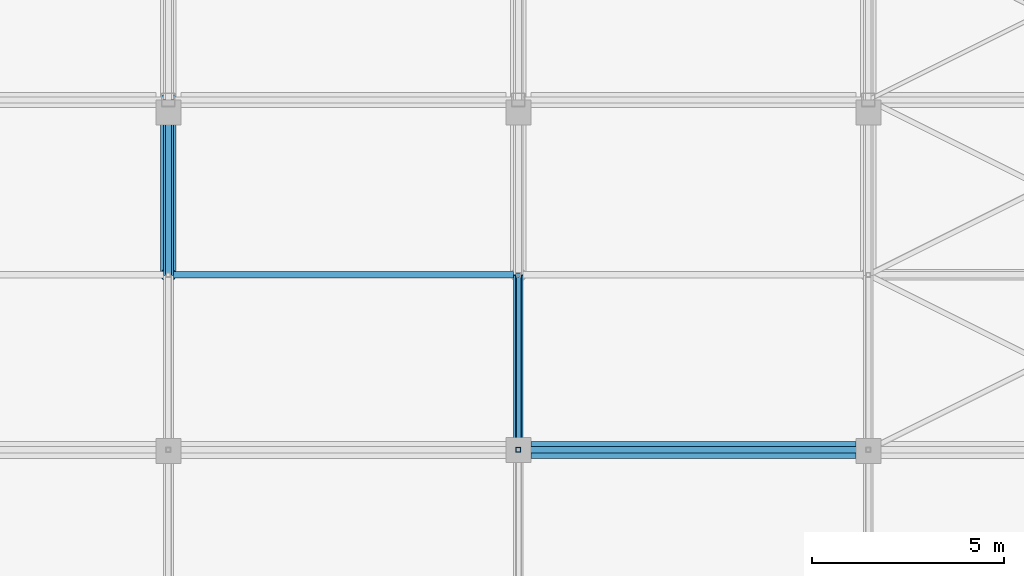
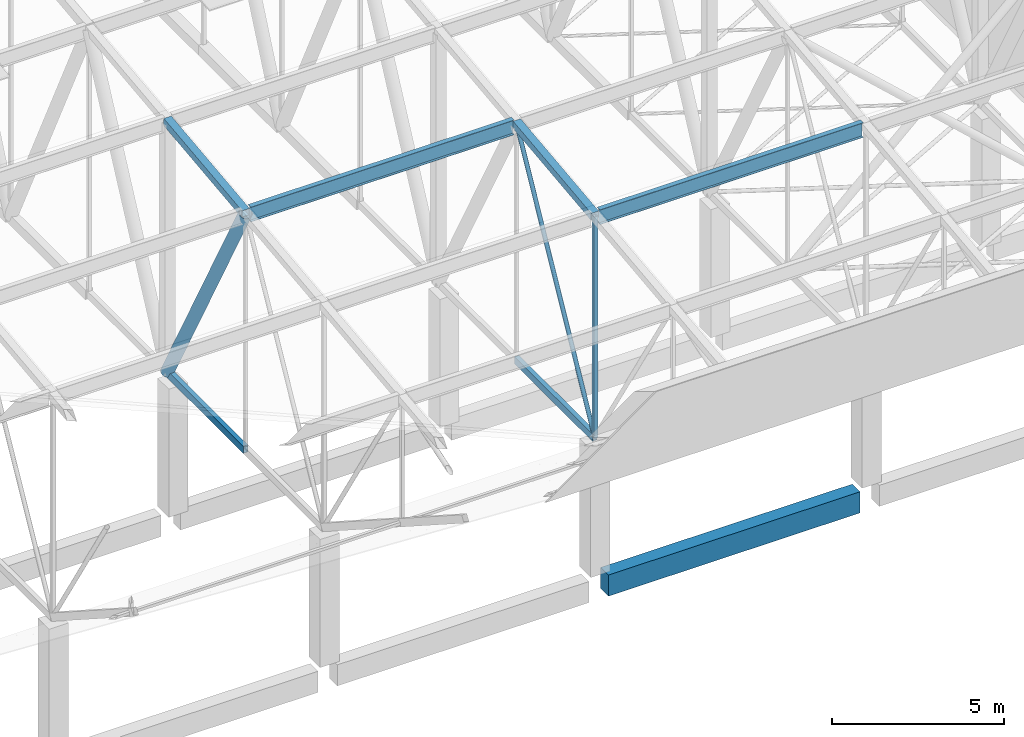
# One storey, part 100 of 500: 9 members, 1 beam.
"""IFC4 building model written with IfcOpenShell, lengths in metres."""

from ifc_helpers import new_model, si_unit, direction, frame, origin, origin_2d, place, context, subcontext, project, spatial, rectangle, hollow_rectangle, hollow_circle, i_section, extrude, material, material_profile, profile_set, type_object, element, save


model = new_model("IFC4")

# Units and contexts
model_context = context("Model", 3, precision=1e-05, world=origin(), true_north=direction((0.0, 1.0)))
body_context = subcontext(model_context, "Body", "Model", "MODEL_VIEW")
ifc_project = project(units=[si_unit("LENGTHUNIT", "METRE"), si_unit("AREAUNIT", "SQUARE_METRE"), si_unit("VOLUMEUNIT", "CUBIC_METRE"), si_unit("PLANEANGLEUNIT", "RADIAN"), si_unit("MASSUNIT", "GRAM", prefix="KILO")], contexts=[model_context])

# Site, building, storey
site_placement = place(None, origin())
site = spatial("IfcSite", under=ifc_project, at=site_placement, CompositionType="ELEMENT")
building_placement = place(site_placement, origin())
building = spatial("IfcBuilding", under=site, at=building_placement, Name="Shirokan Park Arena", CompositionType="ELEMENT")
storey_placement = place(building_placement, frame((0.0, 0.0, 29.1201171875)))
storey = spatial("IfcBuildingStorey", under=building, at=storey_placement, Name="L06", CompositionType="ELEMENT", Elevation=29.1201171875)

# Members
ifc_material_1 = material(Name="Steel ASTM A500 Grade C", Category="steel")
ifc_material_profile_1 = material_profile(ifc_material_1, hollow_rectangle(XDim=0.152099609375, YDim=0.25390625, WallThickness=0.009521484375, at=origin_2d()), Name="HSS254X152.4X9.5")
ifc_profile_set_1 = profile_set([ifc_material_profile_1], Name="Steel ASTM A500 Grade C")
member_type_1 = type_object("IfcMemberType", Name="Bottom chord HSS254X152.4X9.5", PredefinedType="CHORD", material=ifc_profile_set_1)
for number, where, z_axis, x_axis, name in (
    (1, (72.800048828125, 4.550048828125, 4.677001953125), (0.0, 1.0, 0.0), (-1.0, 0.0, 0.0), "Truss T09 bottom chord 4"),
    (2, (81.89990234375, 0.0, 4.677001953125), (0.0, 1.0, 0.0), (-1.0, 0.0, 0.0), "Truss T10 bottom chord 3"),
):
    element("IfcMember", number, at=place(storey_placement, frame(where, z_axis=z_axis, x_axis=x_axis)), inside=storey, type_object=member_type_1, Name=name, PredefinedType="CHORD", context=body_context, shape_type="SweptSolid", body=[
        extrude(hollow_rectangle(XDim=0.152099609375, YDim=0.25390625, WallThickness=0.009521484375, at=origin_2d()), origin(), (0.0, 0.0, 1.0), 4.550048828125),
    ])
ifc_material_2 = material(Name="Steel ASTM A992", Category="steel")
ifc_material_profile_2 = material_profile(ifc_material_2, i_section(OverallWidth=0.166015625, OverallDepth=0.528076171875, WebThickness=0.009765625, FlangeThickness=0.013671875, at=origin_2d()), Name="W530X74")
ifc_profile_set_2 = profile_set([ifc_material_profile_2], Name="Steel ASTM A992")
member_type_2 = type_object("IfcMemberType", Name="Purlin W530X74", PredefinedType="PURLIN", material=ifc_profile_set_2)
for number, where, z_axis, x_axis, name in (
    (3, (82.027099609375, 0.0, 12.48583984375), (1.0, 0.0, 0.0), (0.0, 1.0, 0.0), "Purlin 3 bay 10"),
    (4, (72.927001953125, 4.550048828125, 13.005859375), (1.0, 0.0, 0.0), (0.0, 1.0, 0.0), "Purlin 4 bay 9"),
):
    element("IfcMember", number, at=place(storey_placement, frame(where, z_axis=z_axis, x_axis=x_axis)), inside=storey, type_object=member_type_2, Name=name, PredefinedType="PURLIN", context=body_context, shape_type="SweptSolid", body=[
        extrude(i_section(OverallWidth=0.166015625, OverallDepth=0.528076171875, WebThickness=0.009765625, FlangeThickness=0.013671875, at=origin_2d()), origin(), (0.0, 0.0, 1.0), 8.845947265625),
    ])

# Beam
ifc_material_3 = material(Name="Concrete C35", Category="concrete")
ifc_material_profile_3 = material_profile(ifc_material_3, rectangle(XDim=0.449951171875, YDim=0.75, at=origin_2d()), Name="450x750")
ifc_profile_set_3 = profile_set([ifc_material_profile_3], Name="Concrete C35")
beam_type = type_object("IfcBeamType", Name="RC girder 450x750", PredefinedType="BEAM", material=ifc_profile_set_3)
beam_placement = place(storey_placement, frame((82.22509765625, 0.0, -0.5751953125), z_axis=(1.0, 0.0, 0.0), x_axis=(0.0, 1.0, 0.0)))
element("IfcBeam", 5, at=beam_placement, inside=storey, type_object=beam_type, Name="Girder 10A-11A L06", PredefinedType="BEAM", context=body_context, shape_type="SweptSolid", body=[
    extrude(rectangle(XDim=0.449951171875, YDim=0.75, at=origin_2d()), origin(), (0.0, 0.0, 1.0), 8.44970703125),
])

# Members
ifc_material_profile_4 = material_profile(ifc_material_1, hollow_rectangle(XDim=0.25390625, YDim=0.25390625, WallThickness=0.009521484375, at=origin_2d()), Name="HSS254X254X9.5")
ifc_profile_set_4 = profile_set([ifc_material_profile_4], Name="Steel ASTM A500 Grade C")
member_type_3 = type_object("IfcMemberType", Name="Top chord HSS254X254X9.5", PredefinedType="CHORD", material=ifc_profile_set_4)
for number, where, z_axis, x_axis, name in (
    (6, (72.800048828125, 4.550048828125, 13.061279296875), (0.0, 0.993532328996, 0.113549598152), (-1.0, 0.0, 0.0), "Truss T09 top chord 4"),
    (7, (81.89990234375, 0.0, 12.54150390625), (0.0, 0.993538341779, 0.113496975353), (-1.0, 0.0, 0.0), "Truss T10 top chord 3"),
):
    element("IfcMember", number, at=place(storey_placement, frame(where, z_axis=z_axis, x_axis=x_axis)), inside=storey, type_object=member_type_3, Name=name, PredefinedType="CHORD", context=body_context, shape_type="SweptSolid", body=[
        extrude(hollow_rectangle(XDim=0.25390625, YDim=0.25390625, WallThickness=0.009521484375, at=origin_2d()), origin(), (0.0, 0.0, 1.0), 4.57958984375),
    ])
ifc_material_profile_5 = material_profile(ifc_material_1, hollow_circle(Radius=0.070556640625, WallThickness=0.006591796875, at=origin_2d()), Name="HSS141.3X6.6")
ifc_profile_set_5 = profile_set([ifc_material_profile_5], Name="Steel ASTM A500 Grade C")
member_type_4 = type_object("IfcMemberType", Name="Truss diagonal HSS141.3X6.6", PredefinedType="BRACE", material=ifc_profile_set_5)
member_1_placement = place(storey_placement, frame((81.89990234375, 0.0, 4.677001953125), z_axis=(0.0, 0.476977206611, 0.878915663971), x_axis=(-1.0, 0.0, 0.0)))
element("IfcMember", 8, at=member_1_placement, inside=storey, type_object=member_type_4, Name="Truss T10 diagonal 3", PredefinedType="BRACE", context=body_context, shape_type="SweptSolid", body=[
    extrude(hollow_circle(Radius=0.070556640625, WallThickness=0.006591796875, at=origin_2d()), origin(), (0.0, 0.0, 1.0), 9.539306640625),
])
ifc_material_profile_6 = material_profile(ifc_material_1, hollow_circle(Radius=0.202880859375, WallThickness=0.015869140625, at=origin_2d()), Name="HSS406.4X15.9")
ifc_profile_set_6 = profile_set([ifc_material_profile_6], Name="Steel ASTM A500 Grade C")
member_type_5 = type_object("IfcMemberType", Name="Truss diagonal HSS406.4X15.9", PredefinedType="BRACE", material=ifc_profile_set_6)
member_2_placement = place(storey_placement, frame((72.800048828125, 4.550048828125, 13.061279296875), z_axis=(0.0, 0.476977206611, -0.878915663971), x_axis=(-1.0, 0.0, 0.0)))
element("IfcMember", 9, at=member_2_placement, inside=storey, type_object=member_type_5, Name="Truss T09 diagonal 4", PredefinedType="BRACE", context=body_context, shape_type="SweptSolid", body=[
    extrude(hollow_circle(Radius=0.202880859375, WallThickness=0.015869140625, at=origin_2d()), origin(), (0.0, 0.0, 1.0), 9.539306640625),
])
ifc_material_profile_7 = material_profile(ifc_material_1, hollow_rectangle(XDim=0.126953125, YDim=0.126953125, WallThickness=0.0126953125, at=origin_2d()), Name="HSS127X127X12.7")
ifc_profile_set_7 = profile_set([ifc_material_profile_7], Name="Steel ASTM A500 Grade C")
member_type_6 = type_object("IfcMemberType", Name="Truss post HSS127X127X12.7", PredefinedType="POST", material=ifc_profile_set_7)
member_3_placement = place(storey_placement, frame((81.89990234375, 0.0, 4.677001953125), z_axis=(0.0, 0.0, 1.0), x_axis=(1.0, 0.0, 0.0)))
element("IfcMember", 10, at=member_3_placement, inside=storey, type_object=member_type_6, Name="Truss T10 post 3", PredefinedType="POST", context=body_context, shape_type="SweptSolid", body=[
    extrude(hollow_rectangle(XDim=0.126953125, YDim=0.126953125, WallThickness=0.0126953125, at=origin_2d()), origin(), (0.0, 0.0, 1.0), 7.864501953125),
])

save(model, "model.ifc")
